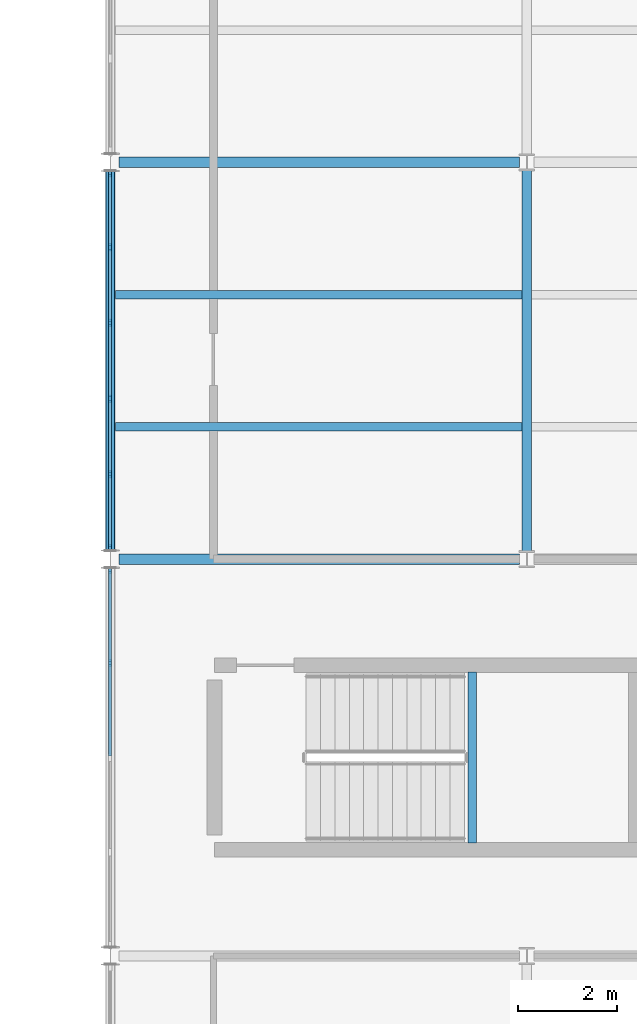
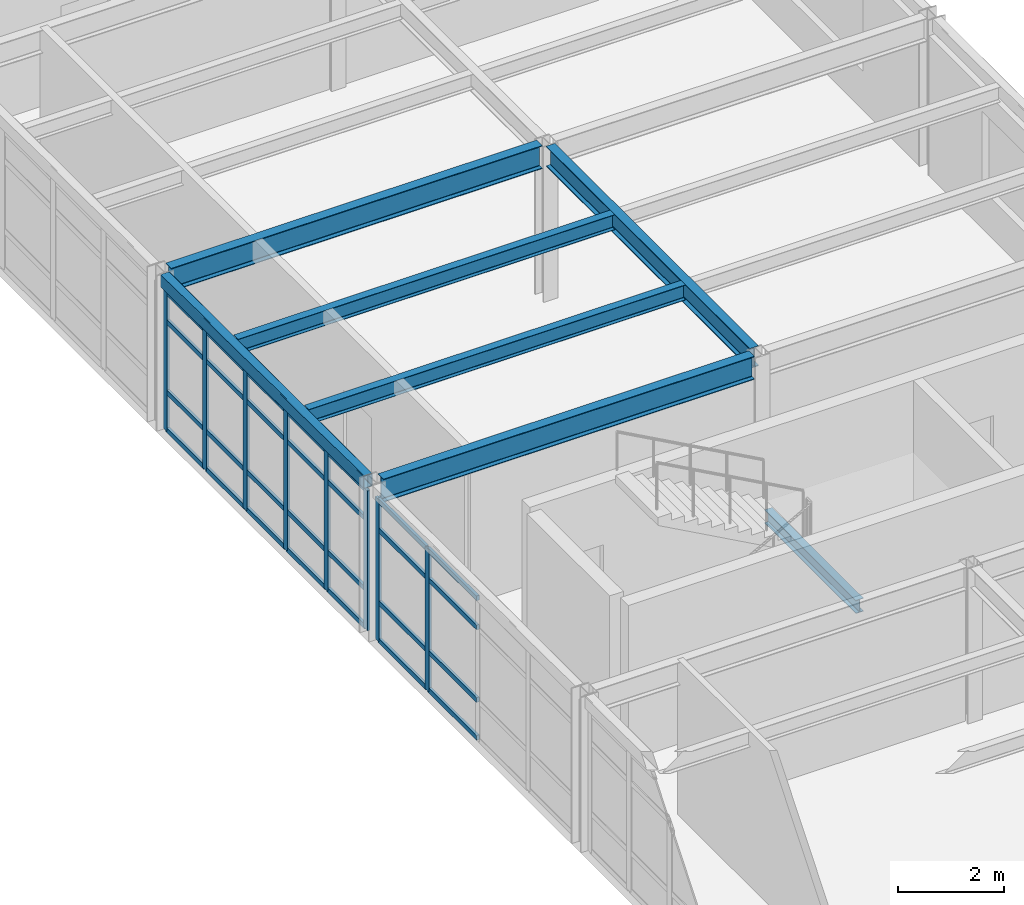
# One storey, part 31 of 96: 36 members, 7 beams, 2 elements without a shape of their own.
"""IFC4 building model written with IfcOpenShell, lengths in metres."""

from ifc_helpers import new_model, si_unit, direction, frame, origin, origin_2d, place, context, subcontext, project, spatial, rectangle, hollow_rectangle, i_section, extrude, material, layer, layer_set, material_profile, profile_set, type_object, element, aggregate, save


model = new_model("IFC4")

# Units and contexts
model_context = context("Model", 3, precision=1e-05, world=origin(), true_north=direction((0.0, 1.0)))
body_context = subcontext(model_context, "Body", "Model", "MODEL_VIEW")
ifc_project = project(units=[si_unit("LENGTHUNIT", "METRE"), si_unit("AREAUNIT", "SQUARE_METRE"), si_unit("VOLUMEUNIT", "CUBIC_METRE"), si_unit("PLANEANGLEUNIT", "RADIAN"), si_unit("MASSUNIT", "GRAM", prefix="KILO")], contexts=[model_context])

# Site, building, storey
site_placement = place(None, origin())
site = spatial("IfcSite", under=ifc_project, at=site_placement, CompositionType="ELEMENT")
building_placement = place(site_placement, origin())
building = spatial("IfcBuilding", under=site, at=building_placement, Name="Kranzveld Transit Interchange", CompositionType="ELEMENT")
storey_placement = place(building_placement, frame((0.0, 0.0, 9.52001953125)))
storey = spatial("IfcBuildingStorey", under=building, at=storey_placement, Name="L02", CompositionType="ELEMENT", Elevation=9.52001953125)

# Beam
ifc_material_1 = material(Name="Steel S355JR", Category="steel")
ifc_material_profile_1 = material_profile(ifc_material_1, i_section(OverallWidth=0.19189453125, OverallDepth=0.46337890625, WebThickness=0.010498046875, FlangeThickness=0.017578125, FilletRadius=0.01025390625, at=origin_2d()), Name="UB 457x191x89")
ifc_profile_set_1 = profile_set([ifc_material_profile_1], Name="Steel S355JR")
beam_type_1 = type_object("IfcBeamType", Name="Beam Steel UB 457x191x89 S355JR", PredefinedType="BEAM", material=ifc_profile_set_1)
beam_1_placement = place(storey_placement, frame((159.60009765625, 80.159912109375, 3.33837890625), z_axis=(0.0, 1.0, 0.0), x_axis=(-1.0, 0.0, 0.0)))
element("IfcBeam", 1, at=beam_1_placement, inside=storey, type_object=beam_type_1, Name="L02 Girder 20/L-M", PredefinedType="BEAM", context=body_context, shape_type="SweptSolid", body=[
    extrude(i_section(OverallWidth=0.19189453125, OverallDepth=0.46337890625, WebThickness=0.010498046875, FlangeThickness=0.017578125, FilletRadius=0.01025390625, at=origin_2d()), origin(), (0.0, 0.0, 1.0), 7.68017578125),
])

# Curtain wall, members
ifc_material_2 = material(Name="Bronze-anodised thermally broken aluminium", Category="aluminium")
ifc_layer_1 = layer(ifc_material_2, 0.159912109375)
ifc_layer_set_1 = layer_set([ifc_layer_1], Name="Bronze-anodised thermally broken aluminium")
curtain_wall_type_1 = type_object("IfcCurtainWallType", Name="Bus Boarding Glazed Screen CW-3", PredefinedType="USERDEFINED", material=ifc_layer_set_1)
curtain_wall_1_placement = place(storey_placement, origin())
curtain_wall_1 = element("IfcCurtainWall", 2, at=curtain_wall_1_placement, inside=storey, type_object=curtain_wall_type_1, Name="L02 Curtain Wall 19/K-19/L", ObjectType="CURTAIN WALL", PredefinedType="USERDEFINED")
ifc_material_3 = material(Name="Bronze-anodised thermally broken aluminium", Category="aluminium")
ifc_material_profile_2 = material_profile(ifc_material_3, rectangle(XDim=0.06005859375, YDim=0.14990234375, at=origin_2d()), Name="ALU MULLION 60x150")
ifc_profile_set_2 = profile_set([ifc_material_profile_2], Name="Bronze-anodised thermally broken aluminium")
member_type_1 = type_object("IfcMemberType", Name="Curtain Wall Mullion 60x150 Alu", PredefinedType="MULLION", material=ifc_profile_set_2)
member_1_placement = place(storey_placement, frame((151.199951171875, 77.90625, 0.0), z_axis=(0.0, 0.0, 1.0), x_axis=(-1.0, 0.0, 0.0)))
member_1 = element("IfcMember", 3, at=member_1_placement, type_object=member_type_1, Name="CW-3 mullion 4", PredefinedType="MULLION", context=body_context, shape_type="SweptSolid", body=[
    extrude(rectangle(XDim=0.06005859375, YDim=0.14990234375, at=origin_2d()), origin(), (0.0, 0.0, 1.0), 3.27001953125),
])
member_2_placement = place(storey_placement, frame((151.199951171875, 79.78271484375, 0.0), z_axis=(0.0, 0.0, 1.0), x_axis=(-1.0, 0.0, 0.0)))
member_2 = element("IfcMember", 4, at=member_2_placement, type_object=member_type_1, Name="CW-3 mullion 5", PredefinedType="MULLION", context=body_context, shape_type="SweptSolid", body=[
    extrude(rectangle(XDim=0.06005859375, YDim=0.14990234375, at=origin_2d()), origin(), (0.0, 0.0, 1.0), 3.27001953125),
])

ifc_material_4 = material(Name="Bronze-anodised thermally broken aluminium", Category="aluminium")
ifc_layer_2 = layer(ifc_material_4, 0.14990234375)
ifc_layer_set_2 = layer_set([ifc_layer_2], Name="Bronze-anodised thermally broken aluminium")
curtain_wall_type_2 = type_object("IfcCurtainWallType", Name="Public Passage Clerestory Screen CW-4", PredefinedType="USERDEFINED", material=ifc_layer_set_2)
curtain_wall_2_placement = place(storey_placement, origin())
curtain_wall_2 = element("IfcCurtainWall", 5, at=curtain_wall_2_placement, inside=storey, type_object=curtain_wall_type_2, Name="L02 Curtain Wall 19/L-19/M", ObjectType="CURTAIN WALL", PredefinedType="USERDEFINED")
member_3_placement = place(storey_placement, frame((151.199951171875, 80.21728515625, 0.0), z_axis=(0.0, 0.0, 1.0), x_axis=(-1.0, 0.0, 0.0)))
member_3 = element("IfcMember", 6, at=member_3_placement, type_object=member_type_1, Name="CW-4 mullion 1", PredefinedType="MULLION", context=body_context, shape_type="SweptSolid", body=[
    extrude(rectangle(XDim=0.06005859375, YDim=0.14990234375, at=origin_2d()), origin(), (0.0, 0.0, 1.0), 3.218505859375),
])
member_4_placement = place(storey_placement, frame((151.199951171875, 81.71240234375, 0.0), z_axis=(0.0, 0.0, 1.0), x_axis=(-1.0, 0.0, 0.0)))
member_4 = element("IfcMember", 7, at=member_4_placement, type_object=member_type_1, Name="CW-4 mullion 2", PredefinedType="MULLION", context=body_context, shape_type="SweptSolid", body=[
    extrude(rectangle(XDim=0.06005859375, YDim=0.14990234375, at=origin_2d()), origin(), (0.0, 0.0, 1.0), 3.218505859375),
])
member_5_placement = place(storey_placement, frame((151.199951171875, 83.237548828125, 0.0), z_axis=(0.0, 0.0, 1.0), x_axis=(-1.0, 0.0, 0.0)))
member_5 = element("IfcMember", 8, at=member_5_placement, type_object=member_type_1, Name="CW-4 mullion 3", PredefinedType="MULLION", context=body_context, shape_type="SweptSolid", body=[
    extrude(rectangle(XDim=0.06005859375, YDim=0.14990234375, at=origin_2d()), origin(), (0.0, 0.0, 1.0), 3.218505859375),
])
member_6_placement = place(storey_placement, frame((151.199951171875, 84.762451171875, 0.0), z_axis=(0.0, 0.0, 1.0), x_axis=(-1.0, 0.0, 0.0)))
member_6 = element("IfcMember", 9, at=member_6_placement, type_object=member_type_1, Name="CW-4 mullion 4", PredefinedType="MULLION", context=body_context, shape_type="SweptSolid", body=[
    extrude(rectangle(XDim=0.06005859375, YDim=0.14990234375, at=origin_2d()), origin(), (0.0, 0.0, 1.0), 3.218505859375),
])
member_7_placement = place(storey_placement, frame((151.199951171875, 86.28759765625, 0.0), z_axis=(0.0, 0.0, 1.0), x_axis=(-1.0, 0.0, 0.0)))
member_7 = element("IfcMember", 10, at=member_7_placement, type_object=member_type_1, Name="CW-4 mullion 5", PredefinedType="MULLION", context=body_context, shape_type="SweptSolid", body=[
    extrude(rectangle(XDim=0.06005859375, YDim=0.14990234375, at=origin_2d()), origin(), (0.0, 0.0, 1.0), 3.218505859375),
])
member_8_placement = place(storey_placement, frame((151.199951171875, 87.78271484375, 0.0), z_axis=(0.0, 0.0, 1.0), x_axis=(-1.0, 0.0, 0.0)))
member_8 = element("IfcMember", 11, at=member_8_placement, type_object=member_type_1, Name="CW-4 mullion 6", PredefinedType="MULLION", context=body_context, shape_type="SweptSolid", body=[
    extrude(rectangle(XDim=0.06005859375, YDim=0.14990234375, at=origin_2d()), origin(), (0.0, 0.0, 1.0), 3.218505859375),
])

# Member
ifc_material_5 = material(Name="Bronze-anodised thermally broken aluminium", Category="aluminium")
ifc_material_profile_3 = material_profile(ifc_material_5, rectangle(XDim=0.06005859375, YDim=0.110107421875, at=origin_2d()), Name="ALU TRANSOM 60x110")
ifc_profile_set_3 = profile_set([ifc_material_profile_3], Name="Bronze-anodised thermally broken aluminium")
member_type_2 = type_object("IfcMemberType", Name="Curtain Wall Transom 60x110 Alu", PredefinedType="USERDEFINED", material=ifc_profile_set_3)
member_9_placement = place(storey_placement, frame((151.199951171875, 76.030029296875, 0.030029296875), z_axis=(0.0, 1.0, 0.0), x_axis=(-1.0, 0.0, 0.0)))
member_9 = element("IfcMember", 12, at=member_9_placement, type_object=member_type_2, Name="CW-3 transom 3.1", ObjectType="TRANSOM", PredefinedType="USERDEFINED", context=body_context, shape_type="SweptSolid", body=[
    extrude(rectangle(XDim=0.06005859375, YDim=0.110107421875, at=origin_2d()), origin(), (0.0, 0.0, 1.0), 1.846435546875),
])

member_10_placement = place(storey_placement, frame((151.199951171875, 76.030029296875, 0.89990234375), z_axis=(0.0, 1.0, 0.0), x_axis=(-1.0, 0.0, 0.0)))
member_10 = element("IfcMember", 13, at=member_10_placement, type_object=member_type_2, Name="CW-3 transom 3.2", ObjectType="TRANSOM", PredefinedType="USERDEFINED", context=body_context, shape_type="SweptSolid", body=[
    extrude(rectangle(XDim=0.06005859375, YDim=0.110107421875, at=origin_2d()), origin(), (0.0, 0.0, 1.0), 1.846435546875),
])

member_11_placement = place(storey_placement, frame((151.199951171875, 76.030029296875, 2.570068359375), z_axis=(0.0, 1.0, 0.0), x_axis=(-1.0, 0.0, 0.0)))
member_11 = element("IfcMember", 14, at=member_11_placement, type_object=member_type_2, Name="CW-3 transom 3.3", ObjectType="TRANSOM", PredefinedType="USERDEFINED", context=body_context, shape_type="SweptSolid", body=[
    extrude(rectangle(XDim=0.06005859375, YDim=0.110107421875, at=origin_2d()), origin(), (0.0, 0.0, 1.0), 1.846435546875),
])

member_12_placement = place(storey_placement, frame((151.199951171875, 76.030029296875, 3.239990234375), z_axis=(0.0, 1.0, 0.0), x_axis=(-1.0, 0.0, 0.0)))
member_12 = element("IfcMember", 15, at=member_12_placement, type_object=member_type_2, Name="CW-3 transom 3.4", ObjectType="TRANSOM", PredefinedType="USERDEFINED", context=body_context, shape_type="SweptSolid", body=[
    extrude(rectangle(XDim=0.06005859375, YDim=0.110107421875, at=origin_2d()), origin(), (0.0, 0.0, 1.0), 1.846435546875),
])

member_13_placement = place(storey_placement, frame((151.199951171875, 77.936279296875, 0.030029296875), z_axis=(0.0, 1.0, 0.0), x_axis=(-1.0, 0.0, 0.0)))
member_13 = element("IfcMember", 16, at=member_13_placement, type_object=member_type_2, Name="CW-3 transom 4.1", ObjectType="TRANSOM", PredefinedType="USERDEFINED", context=body_context, shape_type="SweptSolid", body=[
    extrude(rectangle(XDim=0.06005859375, YDim=0.110107421875, at=origin_2d()), origin(), (0.0, 0.0, 1.0), 1.81640625),
])

member_14_placement = place(storey_placement, frame((151.199951171875, 77.936279296875, 0.89990234375), z_axis=(0.0, 1.0, 0.0), x_axis=(-1.0, 0.0, 0.0)))
member_14 = element("IfcMember", 17, at=member_14_placement, type_object=member_type_2, Name="CW-3 transom 4.2", ObjectType="TRANSOM", PredefinedType="USERDEFINED", context=body_context, shape_type="SweptSolid", body=[
    extrude(rectangle(XDim=0.06005859375, YDim=0.110107421875, at=origin_2d()), origin(), (0.0, 0.0, 1.0), 1.81640625),
])

member_15_placement = place(storey_placement, frame((151.199951171875, 77.936279296875, 2.570068359375), z_axis=(0.0, 1.0, 0.0), x_axis=(-1.0, 0.0, 0.0)))
member_15 = element("IfcMember", 18, at=member_15_placement, type_object=member_type_2, Name="CW-3 transom 4.3", ObjectType="TRANSOM", PredefinedType="USERDEFINED", context=body_context, shape_type="SweptSolid", body=[
    extrude(rectangle(XDim=0.06005859375, YDim=0.110107421875, at=origin_2d()), origin(), (0.0, 0.0, 1.0), 1.81640625),
])

member_16_placement = place(storey_placement, frame((151.199951171875, 77.936279296875, 3.239990234375), z_axis=(0.0, 1.0, 0.0), x_axis=(-1.0, 0.0, 0.0)))
member_16 = element("IfcMember", 19, at=member_16_placement, type_object=member_type_2, Name="CW-3 transom 4.4", ObjectType="TRANSOM", PredefinedType="USERDEFINED", context=body_context, shape_type="SweptSolid", body=[
    extrude(rectangle(XDim=0.06005859375, YDim=0.110107421875, at=origin_2d()), origin(), (0.0, 0.0, 1.0), 1.81640625),
])

aggregate(curtain_wall_1, [member_1, member_2, member_9, member_10, member_11, member_12, member_13, member_14, member_15, member_16])

member_17_placement = place(storey_placement, frame((151.199951171875, 80.247314453125, 0.030029296875), z_axis=(0.0, 1.0, 0.0), x_axis=(-1.0, 0.0, 0.0)))
member_17 = element("IfcMember", 20, at=member_17_placement, type_object=member_type_2, Name="CW-4 transom 1.1", ObjectType="TRANSOM", PredefinedType="USERDEFINED", context=body_context, shape_type="SweptSolid", body=[
    extrude(rectangle(XDim=0.06005859375, YDim=0.110107421875, at=origin_2d()), origin(), (0.0, 0.0, 1.0), 1.43505859375),
])

member_18_placement = place(storey_placement, frame((151.199951171875, 80.247314453125, 0.89990234375), z_axis=(0.0, 1.0, 0.0), x_axis=(-1.0, 0.0, 0.0)))
member_18 = element("IfcMember", 21, at=member_18_placement, type_object=member_type_2, Name="CW-4 transom 1.2", ObjectType="TRANSOM", PredefinedType="USERDEFINED", context=body_context, shape_type="SweptSolid", body=[
    extrude(rectangle(XDim=0.06005859375, YDim=0.110107421875, at=origin_2d()), origin(), (0.0, 0.0, 1.0), 1.43505859375),
])

member_19_placement = place(storey_placement, frame((151.199951171875, 80.247314453125, 2.5185546875), z_axis=(0.0, 1.0, 0.0), x_axis=(-1.0, 0.0, 0.0)))
member_19 = element("IfcMember", 22, at=member_19_placement, type_object=member_type_2, Name="CW-4 transom 1.3", ObjectType="TRANSOM", PredefinedType="USERDEFINED", context=body_context, shape_type="SweptSolid", body=[
    extrude(rectangle(XDim=0.06005859375, YDim=0.110107421875, at=origin_2d()), origin(), (0.0, 0.0, 1.0), 1.43505859375),
])

member_20_placement = place(storey_placement, frame((151.199951171875, 80.247314453125, 3.1884765625), z_axis=(0.0, 1.0, 0.0), x_axis=(-1.0, 0.0, 0.0)))
member_20 = element("IfcMember", 23, at=member_20_placement, type_object=member_type_2, Name="CW-4 transom 1.4", ObjectType="TRANSOM", PredefinedType="USERDEFINED", context=body_context, shape_type="SweptSolid", body=[
    extrude(rectangle(XDim=0.06005859375, YDim=0.110107421875, at=origin_2d()), origin(), (0.0, 0.0, 1.0), 1.43505859375),
])

member_21_placement = place(storey_placement, frame((151.199951171875, 81.742431640625, 0.030029296875), z_axis=(0.0, 1.0, 0.0), x_axis=(-1.0, 0.0, 0.0)))
member_21 = element("IfcMember", 24, at=member_21_placement, type_object=member_type_2, Name="CW-4 transom 2.1", ObjectType="TRANSOM", PredefinedType="USERDEFINED", context=body_context, shape_type="SweptSolid", body=[
    extrude(rectangle(XDim=0.06005859375, YDim=0.110107421875, at=origin_2d()), origin(), (0.0, 0.0, 1.0), 1.465087890625),
])

member_22_placement = place(storey_placement, frame((151.199951171875, 81.742431640625, 0.89990234375), z_axis=(0.0, 1.0, 0.0), x_axis=(-1.0, 0.0, 0.0)))
member_22 = element("IfcMember", 25, at=member_22_placement, type_object=member_type_2, Name="CW-4 transom 2.2", ObjectType="TRANSOM", PredefinedType="USERDEFINED", context=body_context, shape_type="SweptSolid", body=[
    extrude(rectangle(XDim=0.06005859375, YDim=0.110107421875, at=origin_2d()), origin(), (0.0, 0.0, 1.0), 1.465087890625),
])

member_23_placement = place(storey_placement, frame((151.199951171875, 81.742431640625, 2.5185546875), z_axis=(0.0, 1.0, 0.0), x_axis=(-1.0, 0.0, 0.0)))
member_23 = element("IfcMember", 26, at=member_23_placement, type_object=member_type_2, Name="CW-4 transom 2.3", ObjectType="TRANSOM", PredefinedType="USERDEFINED", context=body_context, shape_type="SweptSolid", body=[
    extrude(rectangle(XDim=0.06005859375, YDim=0.110107421875, at=origin_2d()), origin(), (0.0, 0.0, 1.0), 1.465087890625),
])

member_24_placement = place(storey_placement, frame((151.199951171875, 81.742431640625, 3.1884765625), z_axis=(0.0, 1.0, 0.0), x_axis=(-1.0, 0.0, 0.0)))
member_24 = element("IfcMember", 27, at=member_24_placement, type_object=member_type_2, Name="CW-4 transom 2.4", ObjectType="TRANSOM", PredefinedType="USERDEFINED", context=body_context, shape_type="SweptSolid", body=[
    extrude(rectangle(XDim=0.06005859375, YDim=0.110107421875, at=origin_2d()), origin(), (0.0, 0.0, 1.0), 1.465087890625),
])

member_25_placement = place(storey_placement, frame((151.199951171875, 83.267578125, 0.030029296875), z_axis=(0.0, 1.0, 0.0), x_axis=(-1.0, 0.0, 0.0)))
member_25 = element("IfcMember", 28, at=member_25_placement, type_object=member_type_2, Name="CW-4 transom 3.1", ObjectType="TRANSOM", PredefinedType="USERDEFINED", context=body_context, shape_type="SweptSolid", body=[
    extrude(rectangle(XDim=0.06005859375, YDim=0.110107421875, at=origin_2d()), origin(), (0.0, 0.0, 1.0), 1.46484375),
])

member_26_placement = place(storey_placement, frame((151.199951171875, 83.267578125, 0.89990234375), z_axis=(0.0, 1.0, 0.0), x_axis=(-1.0, 0.0, 0.0)))
member_26 = element("IfcMember", 29, at=member_26_placement, type_object=member_type_2, Name="CW-4 transom 3.2", ObjectType="TRANSOM", PredefinedType="USERDEFINED", context=body_context, shape_type="SweptSolid", body=[
    extrude(rectangle(XDim=0.06005859375, YDim=0.110107421875, at=origin_2d()), origin(), (0.0, 0.0, 1.0), 1.46484375),
])

member_27_placement = place(storey_placement, frame((151.199951171875, 83.267578125, 2.5185546875), z_axis=(0.0, 1.0, 0.0), x_axis=(-1.0, 0.0, 0.0)))
member_27 = element("IfcMember", 30, at=member_27_placement, type_object=member_type_2, Name="CW-4 transom 3.3", ObjectType="TRANSOM", PredefinedType="USERDEFINED", context=body_context, shape_type="SweptSolid", body=[
    extrude(rectangle(XDim=0.06005859375, YDim=0.110107421875, at=origin_2d()), origin(), (0.0, 0.0, 1.0), 1.46484375),
])

member_28_placement = place(storey_placement, frame((151.199951171875, 83.267578125, 3.1884765625), z_axis=(0.0, 1.0, 0.0), x_axis=(-1.0, 0.0, 0.0)))
member_28 = element("IfcMember", 31, at=member_28_placement, type_object=member_type_2, Name="CW-4 transom 3.4", ObjectType="TRANSOM", PredefinedType="USERDEFINED", context=body_context, shape_type="SweptSolid", body=[
    extrude(rectangle(XDim=0.06005859375, YDim=0.110107421875, at=origin_2d()), origin(), (0.0, 0.0, 1.0), 1.46484375),
])

member_29_placement = place(storey_placement, frame((151.199951171875, 84.79248046875, 0.030029296875), z_axis=(0.0, 1.0, 0.0), x_axis=(-1.0, 0.0, 0.0)))
member_29 = element("IfcMember", 32, at=member_29_placement, type_object=member_type_2, Name="CW-4 transom 4.1", ObjectType="TRANSOM", PredefinedType="USERDEFINED", context=body_context, shape_type="SweptSolid", body=[
    extrude(rectangle(XDim=0.06005859375, YDim=0.110107421875, at=origin_2d()), origin(), (0.0, 0.0, 1.0), 1.465087890625),
])

member_30_placement = place(storey_placement, frame((151.199951171875, 84.79248046875, 0.89990234375), z_axis=(0.0, 1.0, 0.0), x_axis=(-1.0, 0.0, 0.0)))
member_30 = element("IfcMember", 33, at=member_30_placement, type_object=member_type_2, Name="CW-4 transom 4.2", ObjectType="TRANSOM", PredefinedType="USERDEFINED", context=body_context, shape_type="SweptSolid", body=[
    extrude(rectangle(XDim=0.06005859375, YDim=0.110107421875, at=origin_2d()), origin(), (0.0, 0.0, 1.0), 1.465087890625),
])

member_31_placement = place(storey_placement, frame((151.199951171875, 84.79248046875, 2.5185546875), z_axis=(0.0, 1.0, 0.0), x_axis=(-1.0, 0.0, 0.0)))
member_31 = element("IfcMember", 34, at=member_31_placement, type_object=member_type_2, Name="CW-4 transom 4.3", ObjectType="TRANSOM", PredefinedType="USERDEFINED", context=body_context, shape_type="SweptSolid", body=[
    extrude(rectangle(XDim=0.06005859375, YDim=0.110107421875, at=origin_2d()), origin(), (0.0, 0.0, 1.0), 1.465087890625),
])

member_32_placement = place(storey_placement, frame((151.199951171875, 84.79248046875, 3.1884765625), z_axis=(0.0, 1.0, 0.0), x_axis=(-1.0, 0.0, 0.0)))
member_32 = element("IfcMember", 35, at=member_32_placement, type_object=member_type_2, Name="CW-4 transom 4.4", ObjectType="TRANSOM", PredefinedType="USERDEFINED", context=body_context, shape_type="SweptSolid", body=[
    extrude(rectangle(XDim=0.06005859375, YDim=0.110107421875, at=origin_2d()), origin(), (0.0, 0.0, 1.0), 1.465087890625),
])

member_33_placement = place(storey_placement, frame((151.199951171875, 86.317626953125, 0.030029296875), z_axis=(0.0, 1.0, 0.0), x_axis=(-1.0, 0.0, 0.0)))
member_33 = element("IfcMember", 36, at=member_33_placement, type_object=member_type_2, Name="CW-4 transom 5.1", ObjectType="TRANSOM", PredefinedType="USERDEFINED", context=body_context, shape_type="SweptSolid", body=[
    extrude(rectangle(XDim=0.06005859375, YDim=0.110107421875, at=origin_2d()), origin(), (0.0, 0.0, 1.0), 1.43505859375),
])

member_34_placement = place(storey_placement, frame((151.199951171875, 86.317626953125, 0.89990234375), z_axis=(0.0, 1.0, 0.0), x_axis=(-1.0, 0.0, 0.0)))
member_34 = element("IfcMember", 37, at=member_34_placement, type_object=member_type_2, Name="CW-4 transom 5.2", ObjectType="TRANSOM", PredefinedType="USERDEFINED", context=body_context, shape_type="SweptSolid", body=[
    extrude(rectangle(XDim=0.06005859375, YDim=0.110107421875, at=origin_2d()), origin(), (0.0, 0.0, 1.0), 1.43505859375),
])

member_35_placement = place(storey_placement, frame((151.199951171875, 86.317626953125, 2.5185546875), z_axis=(0.0, 1.0, 0.0), x_axis=(-1.0, 0.0, 0.0)))
member_35 = element("IfcMember", 38, at=member_35_placement, type_object=member_type_2, Name="CW-4 transom 5.3", ObjectType="TRANSOM", PredefinedType="USERDEFINED", context=body_context, shape_type="SweptSolid", body=[
    extrude(rectangle(XDim=0.06005859375, YDim=0.110107421875, at=origin_2d()), origin(), (0.0, 0.0, 1.0), 1.43505859375),
])

member_36_placement = place(storey_placement, frame((151.199951171875, 86.317626953125, 3.1884765625), z_axis=(0.0, 1.0, 0.0), x_axis=(-1.0, 0.0, 0.0)))
member_36 = element("IfcMember", 39, at=member_36_placement, type_object=member_type_2, Name="CW-4 transom 5.4", ObjectType="TRANSOM", PredefinedType="USERDEFINED", context=body_context, shape_type="SweptSolid", body=[
    extrude(rectangle(XDim=0.06005859375, YDim=0.110107421875, at=origin_2d()), origin(), (0.0, 0.0, 1.0), 1.43505859375),
])

aggregate(curtain_wall_2, [member_3, member_4, member_5, member_6, member_7, member_8, member_17, member_18, member_19, member_20, member_21, member_22, member_23, member_24, member_25, member_26, member_27, member_28, member_29, member_30, member_31, member_32, member_33, member_34, member_35, member_36])

# Beams
ifc_material_6 = material(Name="Steel S355JR", Category="steel")
ifc_material_profile_4 = material_profile(ifc_material_6, hollow_rectangle(XDim=0.199951171875, YDim=0.300048828125, WallThickness=0.010009765625, InnerFilletRadius=0.014892578125, OuterFilletRadius=0.02490234375, at=origin_2d()), Name="RHS 300x200x10")
ifc_profile_set_4 = profile_set([ifc_material_profile_4], Name="Steel S355JR")
beam_type_2 = type_object("IfcBeamType", Name="Edge Spandrel RHS 300x200x10 S355JR", PredefinedType="SPANDREL", material=ifc_profile_set_4)
beam_2_placement = place(storey_placement, frame((151.199951171875, 80.17724609375, 3.419921875), z_axis=(0.0, 1.0, 0.0), x_axis=(-1.0, 0.0, 0.0)))
element("IfcBeam", 40, at=beam_2_placement, inside=storey, type_object=beam_type_2, Name="L02 Girder 19/L-M", PredefinedType="SPANDREL", context=body_context, shape_type="SweptSolid", body=[
    extrude(hollow_rectangle(XDim=0.199951171875, YDim=0.300048828125, WallThickness=0.010009765625, InnerFilletRadius=0.014892578125, OuterFilletRadius=0.02490234375, at=origin_2d()), origin(), (0.0, 0.0, 1.0), 7.6455078125),
])
ifc_material_7 = material(Name="Steel S355JR", Category="steel")
ifc_material_profile_5 = material_profile(ifc_material_7, i_section(OverallWidth=0.171142578125, OverallDepth=0.351318359375, WebThickness=0.007080078125, FlangeThickness=0.009765625, FilletRadius=0.01025390625, at=origin_2d()), Name="UB 356x171x45")
ifc_profile_set_5 = profile_set([ifc_material_profile_5], Name="Steel S355JR")
beam_type_3 = type_object("IfcBeamType", Name="Floor Joist UB 356x171x45 S355JR", PredefinedType="JOIST", material=ifc_profile_set_5)
for number, where, z_axis, x_axis, name in (
    (41, (151.302001953125, 82.666748046875, 3.394287109375), (1.0, 0.0, 0.0), (0.0, 1.0, 0.0), "L02 Secondary Joist 19-20/L.1"),
    (42, (151.302001953125, 85.333251953125, 3.394287109375), (1.0, 0.0, 0.0), (0.0, 1.0, 0.0), "L02 Secondary Joist 19-20/L.2"),
):
    element("IfcBeam", number, at=place(storey_placement, frame(where, z_axis=z_axis, x_axis=x_axis)), inside=storey, type_object=beam_type_3, Name=name, PredefinedType="JOIST", context=body_context, shape_type="SweptSolid", body=[
        extrude(i_section(OverallWidth=0.171142578125, OverallDepth=0.351318359375, WebThickness=0.007080078125, FlangeThickness=0.009765625, FilletRadius=0.01025390625, at=origin_2d()), origin(), (0.0, 0.0, 1.0), 8.199951171875),
    ])
ifc_material_8 = material(Name="Steel S355JR", Category="steel")
ifc_material_profile_6 = material_profile(ifc_material_8, i_section(OverallWidth=0.209228515625, OverallDepth=0.533203125, WebThickness=0.010009765625, FlangeThickness=0.015625, FilletRadius=0.0126953125, at=origin_2d()), Name="UB 533x210x92")
ifc_profile_set_6 = profile_set([ifc_material_profile_6], Name="Steel S355JR")
beam_type_4 = type_object("IfcBeamType", Name="Girder Steel UB 533x210x92 S355JR", PredefinedType="BEAM", material=ifc_profile_set_6)
for number, where, z_axis, x_axis, name in (
    (43, (151.377197265625, 80.0, 3.303466796875), (1.0, 0.0, 0.0), (0.0, 1.0, 0.0), "L02 Girder 19-20/L"),
    (44, (151.377197265625, 88.0, 3.303466796875), (1.0, 0.0, 0.0), (0.0, 1.0, 0.0), "L02 Girder 19-20/M"),
):
    element("IfcBeam", number, at=place(storey_placement, frame(where, z_axis=z_axis, x_axis=x_axis)), inside=storey, type_object=beam_type_4, Name=name, PredefinedType="BEAM", context=body_context, shape_type="SweptSolid", body=[
        extrude(i_section(OverallWidth=0.209228515625, OverallDepth=0.533203125, WebThickness=0.010009765625, FlangeThickness=0.015625, FilletRadius=0.0126953125, at=origin_2d()), origin(), (0.0, 0.0, 1.0), 8.07568359375),
    ])
ifc_material_9 = material(Name="Steel S355JR", Category="steel")
ifc_material_profile_7 = material_profile(ifc_material_9, i_section(OverallWidth=0.165771484375, OverallDepth=0.306640625, WebThickness=0.006591796875, FlangeThickness=0.01171875, FilletRadius=0.0087890625, at=origin_2d()), Name="UB 305x165x46")
ifc_profile_set_7 = profile_set([ifc_material_profile_7], Name="Steel S355JR")
beam_type_5 = type_object("IfcBeamType", Name="Roof Joist UB 305x165x46 S355JR", PredefinedType="JOIST", material=ifc_profile_set_7)
beam_3_placement = place(storey_placement, frame((158.5, 74.280029296875, 1.566650390625), z_axis=(0.0, 1.0, 0.0), x_axis=(-1.0, 0.0, 0.0)))
element("IfcBeam", 45, at=beam_3_placement, inside=storey, type_object=beam_type_5, Name="L02 ST-V4B Half-Landing Support Beam", PredefinedType="BEAM", context=body_context, shape_type="SweptSolid", body=[
    extrude(i_section(OverallWidth=0.165771484375, OverallDepth=0.306640625, WebThickness=0.006591796875, FlangeThickness=0.01171875, FilletRadius=0.0087890625, at=origin_2d()), origin(), (0.0, 0.0, 1.0), 3.43994140625),
])

save(model, "model.ifc")
